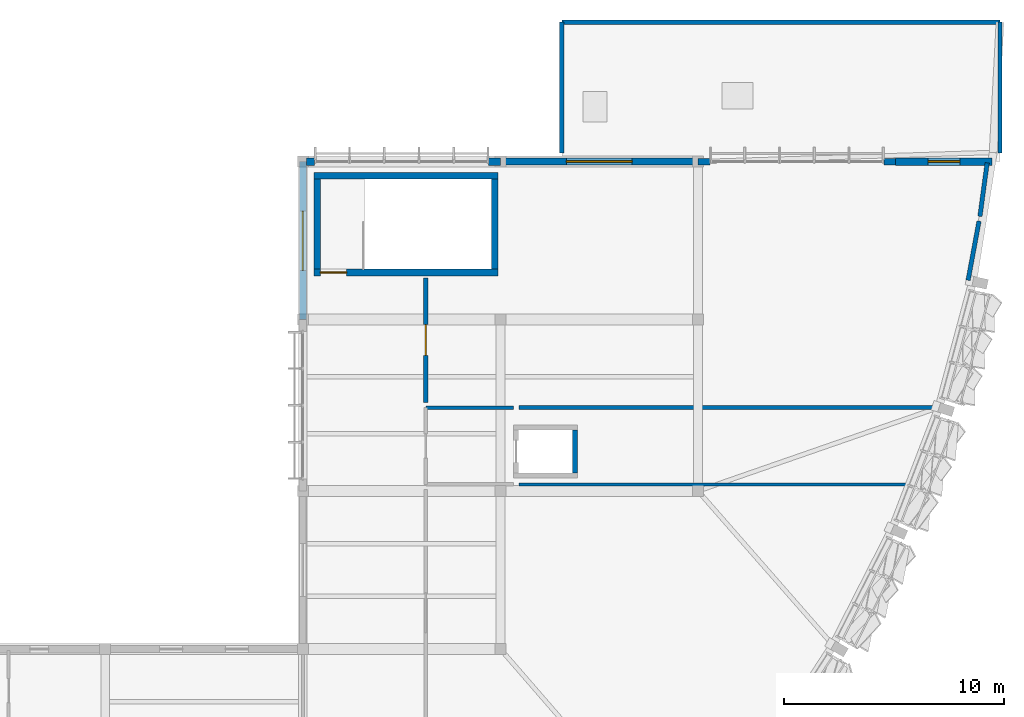
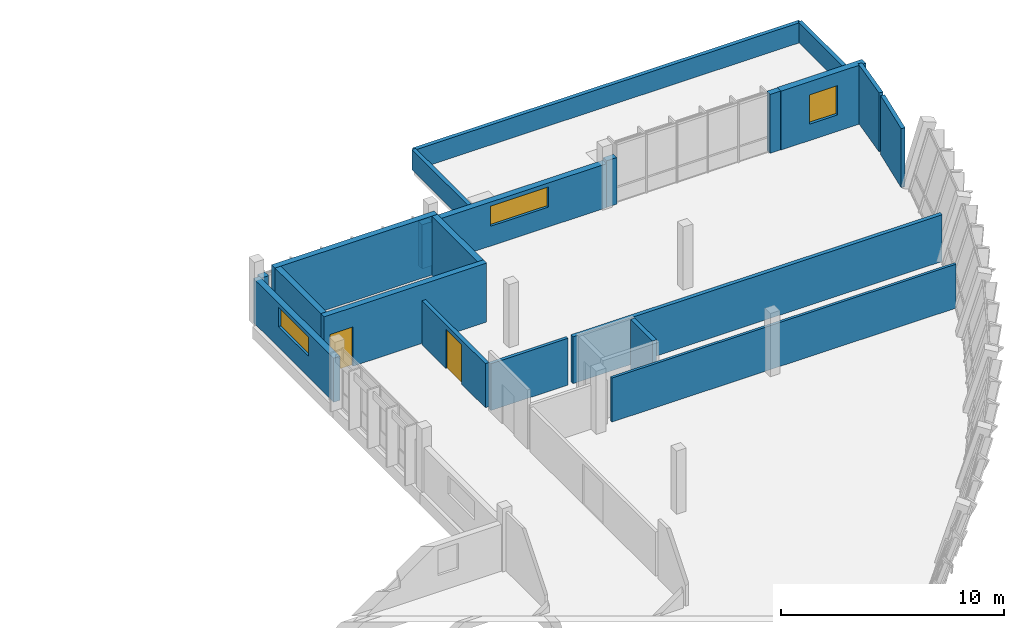
# One storey, part 23 of 24: 21 walls, 3 windows, 2 doors, 5 openings.
"""IFC4 building model written with IfcOpenShell, lengths in metres."""

from ifc_helpers import new_model, si_unit, direction, frame, frame_2d, origin, place, context, subcontext, project, spatial, rectangle, extrude, material, layer, layer_set, type_object, element, fill, save


model = new_model("IFC4")

# Units and contexts
model_context = context("Model", 3, precision=1e-05, world=origin(), true_north=direction((0.0, 1.0)))
body_context = subcontext(model_context, "Body", "Model", "MODEL_VIEW")
ifc_project = project(units=[si_unit("LENGTHUNIT", "METRE"), si_unit("AREAUNIT", "SQUARE_METRE"), si_unit("VOLUMEUNIT", "CUBIC_METRE"), si_unit("PLANEANGLEUNIT", "RADIAN"), si_unit("MASSUNIT", "GRAM", prefix="KILO")], contexts=[model_context])

# Site, building, storey
site_placement = place(None, origin())
site = spatial("IfcSite", under=ifc_project, at=site_placement, CompositionType="ELEMENT")
building_placement = place(site_placement, origin())
building = spatial("IfcBuilding", under=site, at=building_placement, Name="Chiffa Square Polytechnic", CompositionType="ELEMENT")
storey_placement = place(building_placement, frame((0.0, 0.0, 26.39990234375)))
storey = spatial("IfcBuildingStorey", under=building, at=storey_placement, Name="L06", CompositionType="ELEMENT", Elevation=26.39990234375)

# Wall, opening, door
ifc_material_1 = material(Name="Concrete C40/50", Category="concrete")
ifc_layer_1 = layer(ifc_material_1, 0.300048828125, Name="Concrete C40/50")
ifc_layer_set_1 = layer_set([ifc_layer_1], Name="Concrete C40/50")
wall_type_1 = type_object("IfcWallType", Name="WL-CORE-300", PredefinedType="SHEAR", material=ifc_layer_set_1)
wall_1_placement = place(storey_placement, frame((148.699951171875, 45.949951171875, 0.0), z_axis=(0.0, 0.0, 1.0), x_axis=(1.0, 0.0, 0.0)))
wall_1 = element("IfcWall", 1, at=wall_1_placement, inside=storey, type_object=wall_type_1, Name="Core or enclosure wall WC-CORE-V1B-L06-SOUTH", PredefinedType="SHEAR", context=body_context, shape_type="SweptSolid", body=[
    extrude(rectangle(XDim=8.400146484375, YDim=0.300048828125, at=frame_2d((4.2001953125, 0.0))), origin(), (0.0, 0.0, 1.0), 3.22021484375),
])
opening_1_placement = place(wall_1_placement, frame((0.300048828125, 0.0, 0.0)))
opening_1 = element("IfcOpeningElement", 2, at=opening_1_placement, cuts=wall_1, Name="Opening DS-L06-016", PredefinedType="OPENING", context=body_context, shape_type="SweptSolid", body=[
    extrude(rectangle(XDim=1.199951171875, YDim=2.14990234375, at=frame_2d((0.60009765625, 1.074951171875))), frame((0.0, 0.16015625, 0.0), z_axis=(0.0, -1.0, 0.0), x_axis=(1.0, 0.0, 0.0)), (0.0, 0.0, 1.0), 0.320068359375),
])
ifc_material_2 = material(Name="Fire-rated painted steel leaf", Category="steel")
door_type_1 = type_object("IfcDoorType", Name="DR-STAIR-1200", OperationType="NOTDEFINED", PredefinedType="DOOR", material=ifc_material_2)
door_1_placement = place(opening_1_placement, origin())
door_1 = element("IfcDoor", 3, at=door_1_placement, inside=storey, type_object=door_type_1, Name="Enclosure door DS-L06-016", OperationType="SINGLE_SWING_RIGHT", OverallHeight=2.14990234375, OverallWidth=1.199951171875, PredefinedType="DOOR", context=body_context, shape_type="SweptSolid", body=[
    extrude(rectangle(XDim=1.199951171875, YDim=2.14990234375, at=frame_2d((0.60009765625, 1.074951171875))), frame((0.0, 0.02490234375, 0.0), z_axis=(0.0, -1.0, 0.0), x_axis=(1.0, 0.0, 0.0)), (0.0, 0.0, 1.0), 0.050048828125),
])
fill(opening_1, door_1)

# Walls
wall_2_placement = place(storey_placement, frame((148.699951171875, 50.35009765625, 0.0), z_axis=(0.0, 0.0, 1.0), x_axis=(1.0, 0.0, 0.0)))
element("IfcWall", 4, at=wall_2_placement, inside=storey, type_object=wall_type_1, Name="Core or enclosure wall WC-CORE-V1B-L06-NORTH", PredefinedType="SHEAR", context=body_context, shape_type="SweptSolid", body=[
    extrude(rectangle(XDim=8.400146484375, YDim=0.300048828125, at=frame_2d((4.2001953125, 0.0))), origin(), (0.0, 0.0, 1.0), 3.22021484375),
])
for number, where, z_axis, x_axis, name in (
    (5, (148.85009765625, 46.10009765625, 0.0), (0.0, 0.0, 1.0), (0.0, 1.0, 0.0), "Core or enclosure wall WC-CORE-V1B-L06-WEST"),
    (6, (156.949951171875, 46.10009765625, 0.0), (0.0, 0.0, 1.0), (0.0, 1.0, 0.0), "Core or enclosure wall WC-CORE-V1B-L06-EAST"),
):
    element("IfcWall", number, at=place(storey_placement, frame(where, z_axis=z_axis, x_axis=x_axis)), inside=storey, type_object=wall_type_1, Name=name, PredefinedType="SHEAR", context=body_context, shape_type="SweptSolid", body=[
        extrude(rectangle(XDim=4.099853515625, YDim=0.300048828125, at=frame_2d((2.0498046875, 0.0))), origin(), (0.0, 0.0, 1.0), 3.22021484375),
    ])
ifc_material_3 = material(Name="Precast concrete C40/50", Category="concrete")
ifc_layer_2 = layer(ifc_material_3, 0.300048828125, Name="Precast concrete C40/50")
ifc_layer_set_2 = layer_set([ifc_layer_2], Name="Precast concrete C40/50")
wall_type_2 = type_object("IfcWallType", Name="WL-EXT-PC300", PredefinedType="SOLIDWALL", material=ifc_layer_set_2)
wall_3_placement = place(storey_placement, frame((175.199951171875, 51.0, 0.0), z_axis=(0.0, 0.0, 1.0), x_axis=(-1.0, 0.0, 0.0)))
element("IfcWall", 7, at=wall_3_placement, inside=storey, type_object=wall_type_2, Name="Facade column pier V1-L06-0088L", PredefinedType="SOLIDWALL", context=body_context, shape_type="SweptSolid", body=[
    extrude(rectangle(XDim=0.5400390625, YDim=0.300048828125, at=frame_2d((0.27001953125, 0.0))), origin(), (0.0, 0.0, 1.0), 3.22021484375),
])
wall_4_placement = place(storey_placement, frame((166.739990234375, 51.0, 0.0), z_axis=(0.0, 0.0, 1.0), x_axis=(-1.0, 0.0, 0.0)))
element("IfcWall", 8, at=wall_4_placement, inside=storey, type_object=wall_type_2, Name="Facade column pier V1-L06-0088R", PredefinedType="SOLIDWALL", context=body_context, shape_type="SweptSolid", body=[
    extrude(rectangle(XDim=0.5400390625, YDim=0.300048828125, at=frame_2d((0.27001953125, 0.0))), origin(), (0.0, 0.0, 1.0), 2.55517578125),
])

# Wall, opening, window
ifc_layer_3 = layer(ifc_material_3, 0.320068359375, Name="Precast concrete C40/50")
ifc_layer_set_3 = layer_set([ifc_layer_3], Name="Precast concrete C40/50")
wall_type_3 = type_object("IfcWallType", Name="WL-EXT-PC320", PredefinedType="SOLIDWALL", material=ifc_layer_set_3)
wall_5_placement = place(storey_placement, frame((166.199951171875, 51.0, 0.0), z_axis=(0.0, 0.0, 1.0), x_axis=(-1.0, 0.0, 0.0)))
wall_5 = element("IfcWall", 9, at=wall_5_placement, inside=storey, type_object=wall_type_3, Name="Exterior wall WE-V1-L06-0089", PredefinedType="SOLIDWALL", context=body_context, shape_type="SweptSolid", body=[
    extrude(rectangle(XDim=9.0, YDim=0.320068359375, at=frame_2d((4.5, 0.0))), origin(), (0.0, 0.0, 1.0), 2.405029296875),
])
opening_2_placement = place(wall_5_placement, frame((3.0, 0.0, 1.0849609375)))
opening_2 = element("IfcOpeningElement", 10, at=opening_2_placement, cuts=wall_5, Name="Opening WCL-01", PredefinedType="OPENING", context=body_context, shape_type="SweptSolid", body=[
    extrude(rectangle(XDim=3.0, YDim=1.10009765625, at=frame_2d((1.5, 0.550048828125))), frame((0.0, 0.169921875, 0.0), z_axis=(0.0, -1.0, 0.0), x_axis=(1.0, 0.0, 0.0)), (0.0, 0.0, 1.0), 0.340087890625),
])
ifc_material_4 = material(Name="Double glazing in thermally broken aluminium frame", Category="aluminium")
window_type_1 = type_object("IfcWindowType", Name="WIN-CLR-3000X1100", PartitioningType="DOUBLE_PANEL_VERTICAL", PredefinedType="WINDOW", material=ifc_material_4)
window_1_placement = place(opening_2_placement, origin())
window_1 = element("IfcWindow", 11, at=window_1_placement, inside=storey, type_object=window_type_1, Name="Facade window WN-L06-0090", OverallHeight=1.10009765625, OverallWidth=3.0, PartitioningType="DOUBLE_PANEL_VERTICAL", PredefinedType="WINDOW", context=body_context, shape_type="SweptSolid", body=[
    extrude(rectangle(XDim=3.0, YDim=1.10009765625, at=frame_2d((1.5, 0.550048828125))), frame((0.0, 0.030029296875, 0.0), z_axis=(0.0, -1.0, 0.0), x_axis=(1.0, 0.0, 0.0)), (0.0, 0.0, 1.0), 0.06005859375),
])
fill(opening_2, window_1)

wall_6_placement = place(storey_placement, frame((148.199951171875, 51.0, 0.0), z_axis=(0.0, 0.0, 1.0), x_axis=(0.0, -1.0, 0.0)))
wall_6 = element("IfcWall", 12, at=wall_6_placement, inside=storey, type_object=wall_type_3, Name="Exterior wall WE-V1-L06-0091", PredefinedType="SOLIDWALL", context=body_context, shape_type="SweptSolid", body=[
    extrude(rectangle(XDim=7.199951171875, YDim=0.320068359375, at=frame_2d((3.60009765625, 0.0))), origin(), (0.0, 0.0, 1.0), 2.405029296875),
])
opening_3_placement = place(wall_6_placement, frame((2.25, 0.0, 1.135009765625)))
opening_3 = element("IfcOpeningElement", 13, at=opening_3_placement, cuts=wall_6, Name="Opening WCL-02", PredefinedType="OPENING", context=body_context, shape_type="SweptSolid", body=[
    extrude(rectangle(XDim=2.699951171875, YDim=1.050048828125, at=frame_2d((1.35009765625, 0.52490234375))), frame((0.0, 0.169921875, 0.0), z_axis=(0.0, -1.0, 0.0), x_axis=(1.0, 0.0, 0.0)), (0.0, 0.0, 1.0), 0.340087890625),
])
window_type_2 = type_object("IfcWindowType", Name="WIN-CLR-2700X1050", PartitioningType="DOUBLE_PANEL_VERTICAL", PredefinedType="WINDOW", material=ifc_material_4)
window_2_placement = place(opening_3_placement, origin())
window_2 = element("IfcWindow", 14, at=window_2_placement, inside=storey, type_object=window_type_2, Name="Facade window WN-L06-0091", OverallHeight=1.050048828125, OverallWidth=2.699951171875, PartitioningType="DOUBLE_PANEL_VERTICAL", PredefinedType="WINDOW", context=body_context, shape_type="SweptSolid", body=[
    extrude(rectangle(XDim=2.699951171875, YDim=1.050048828125, at=frame_2d((1.35009765625, 0.52490234375))), frame((0.0, 0.030029296875, 0.0), z_axis=(0.0, -1.0, 0.0), x_axis=(1.0, 0.0, 0.0)), (0.0, 0.0, 1.0), 0.06005859375),
])
fill(opening_3, window_2)

ifc_layer_4 = layer(ifc_material_3, 0.340087890625, Name="Precast concrete C40/50")
ifc_layer_set_4 = layer_set([ifc_layer_4], Name="Precast concrete C40/50")
wall_type_4 = type_object("IfcWallType", Name="WL-EXT-PC340", PredefinedType="SOLIDWALL", material=ifc_layer_set_4)
wall_7_placement = place(storey_placement, frame((179.597900390625, 51.0, 0.0), z_axis=(0.0, 0.0, 1.0), x_axis=(-1.0, 0.0, 0.0)))
wall_7 = element("IfcWall", 15, at=wall_7_placement, inside=storey, type_object=wall_type_4, Name="Exterior wall WE-V1-L06-0087", PredefinedType="SOLIDWALL", context=body_context, shape_type="SweptSolid", body=[
    extrude(rectangle(XDim=4.39794921875, YDim=0.340087890625, at=frame_2d((2.198974609375, 0.0))), origin(), (0.0, 0.0, 1.0), 3.22021484375),
])
opening_4_placement = place(wall_7_placement, frame((1.47412109375, 0.0, 0.89990234375)))
opening_4 = element("IfcOpeningElement", 16, at=opening_4_placement, cuts=wall_7, Name="Opening W-16", PredefinedType="OPENING", context=body_context, shape_type="SweptSolid", body=[
    extrude(rectangle(XDim=1.449951171875, YDim=1.60009765625, at=frame_2d((0.72509765625, 0.800048828125))), frame((0.0, 0.18017578125, 0.0), z_axis=(0.0, -1.0, 0.0), x_axis=(1.0, 0.0, 0.0)), (0.0, 0.0, 1.0), 0.360107421875),
])
window_type_3 = type_object("IfcWindowType", Name="WIN-OFF-1450X1600", PartitioningType="DOUBLE_PANEL_VERTICAL", PredefinedType="WINDOW", material=ifc_material_4)
window_3_placement = place(opening_4_placement, origin())
window_3 = element("IfcWindow", 17, at=window_3_placement, inside=storey, type_object=window_type_3, Name="Facade window WN-L06-0089", OverallHeight=1.60009765625, OverallWidth=1.449951171875, PartitioningType="DOUBLE_PANEL_VERTICAL", PredefinedType="WINDOW", context=body_context, shape_type="SweptSolid", body=[
    extrude(rectangle(XDim=1.449951171875, YDim=1.60009765625, at=frame_2d((0.72509765625, 0.800048828125))), frame((0.0, 0.030029296875, 0.0), z_axis=(0.0, -1.0, 0.0), x_axis=(1.0, 0.0, 0.0)), (0.0, 0.0, 1.0), 0.06005859375),
])
fill(opening_4, window_3)

# Walls
wall_8_placement = place(storey_placement, frame((157.199951171875, 51.0, 0.0), z_axis=(0.0, 0.0, 1.0), x_axis=(-1.0, 0.0, 0.0)))
element("IfcWall", 18, at=wall_8_placement, inside=storey, type_object=wall_type_4, Name="Facade column pier V1-L06-0090L", PredefinedType="SOLIDWALL", context=body_context, shape_type="SweptSolid", body=[
    extrude(rectangle(XDim=0.5400390625, YDim=0.340087890625, at=frame_2d((0.27001953125, 0.0))), origin(), (0.0, 0.0, 1.0), 2.405029296875),
])
wall_9_placement = place(storey_placement, frame((148.739990234375, 51.0, 0.0), z_axis=(0.0, 0.0, 1.0), x_axis=(-1.0, 0.0, 0.0)))
element("IfcWall", 19, at=wall_9_placement, inside=storey, type_object=wall_type_4, Name="Facade column pier V1-L06-0090R", PredefinedType="SOLIDWALL", context=body_context, shape_type="SweptSolid", body=[
    extrude(rectangle(XDim=0.3779296875, YDim=0.340087890625, at=frame_2d((0.18896484375, 0.0))), origin(), (0.0, 0.0, 1.0), 2.405029296875),
])
ifc_layer_5 = layer(ifc_material_3, 0.199951171875, Name="Precast concrete C40/50")
ifc_layer_set_5 = layer_set([ifc_layer_5], Name="Precast concrete C40/50")
wall_type_5 = type_object("IfcWallType", Name="WL-PAR-200", PredefinedType="PARAPET", material=ifc_layer_set_5)
wall_10_placement = place(storey_placement, frame((179.949951171875, 51.39990234375, 0.335205078125), z_axis=(0.0, 0.0, 1.0), x_axis=(0.0, 1.0, 0.0)))
element("IfcWall", 20, at=wall_10_placement, inside=storey, type_object=wall_type_5, Name="Roof parapet PRP-V1-N6-1", PredefinedType="PARAPET", context=body_context, shape_type="SweptSolid", body=[
    extrude(rectangle(XDim=5.9501953125, YDim=0.199951171875, at=frame_2d((2.97509765625, 0.0))), origin(), (0.0, 0.0, 1.0), 1.099853515625),
])
wall_11_placement = place(storey_placement, frame((179.949951171875, 57.35009765625, 0.335205078125), z_axis=(0.0, 0.0, 1.0), x_axis=(-1.0, 0.0, 0.0)))
element("IfcWall", 21, at=wall_11_placement, inside=storey, type_object=wall_type_5, Name="Roof parapet PRP-V1-N6-2", PredefinedType="PARAPET", context=body_context, shape_type="SweptSolid", body=[
    extrude(rectangle(XDim=19.949951171875, YDim=0.199951171875, at=frame_2d((9.97509765625, 0.0))), origin(), (0.0, 0.0, 1.0), 1.099853515625),
])
wall_12_placement = place(storey_placement, frame((160.0, 57.35009765625, 0.335205078125), z_axis=(0.0, 0.0, 1.0), x_axis=(0.0, -1.0, 0.0)))
element("IfcWall", 22, at=wall_12_placement, inside=storey, type_object=wall_type_5, Name="Roof parapet PRP-V1-N6-3", PredefinedType="PARAPET", context=body_context, shape_type="SweptSolid", body=[
    extrude(rectangle(XDim=5.9501953125, YDim=0.199951171875, at=frame_2d((2.97509765625, 0.0))), origin(), (0.0, 0.0, 1.0), 1.099853515625),
])
ifc_material_5 = material(Name="Gypsum board on steel stud", Category="steel")
ifc_layer_6 = layer(ifc_material_5, 0.135009765625, Name="Gypsum board on steel stud")
ifc_layer_set_6 = layer_set([ifc_layer_6], Name="Gypsum board on steel stud")
wall_type_6 = type_object("IfcWallType", Name="WL-PART-135", PredefinedType="PARTITIONING", material=ifc_layer_set_6)
wall_13_placement = place(storey_placement, frame((158.0400390625, 36.300048828125, 0.0), z_axis=(0.0, 0.0, 1.0), x_axis=(1.0, 0.0, 0.0)))
element("IfcWall", 23, at=wall_13_placement, inside=storey, type_object=wall_type_6, Name="Interior partition WP-V1-L06-0745", PredefinedType="PARTITIONING", context=body_context, shape_type="SweptSolid", body=[
    extrude(rectangle(XDim=17.7939453125, YDim=0.135009765625, at=frame_2d((8.89697265625, 0.0))), origin(), (0.0, 0.0, 1.0), 2.405029296875),
])

# Wall, opening, door
ifc_material_6 = material(Name="Autoclaved aerated concrete blockwork", Category="masonry")
ifc_layer_7 = layer(ifc_material_6, 0.199951171875, Name="Autoclaved aerated concrete blockwork")
ifc_layer_set_7 = layer_set([ifc_layer_7], Name="Autoclaved aerated concrete blockwork")
wall_type_7 = type_object("IfcWallType", Name="WL-PART-EI120-200", PredefinedType="PARTITIONING", material=ifc_layer_set_7)
wall_14_placement = place(storey_placement, frame((153.800048828125, 40.0400390625, 0.0), z_axis=(0.0, 0.0, 1.0), x_axis=(0.0, 1.0, 0.0)))
wall_14 = element("IfcWall", 24, at=wall_14_placement, inside=storey, type_object=wall_type_7, Name="Interior partition WP-V1-L06-0729", PredefinedType="PARTITIONING", context=body_context, shape_type="SweptSolid", body=[
    extrude(rectangle(XDim=5.669921875, YDim=0.199951171875, at=frame_2d((2.8349609375, 0.0))), origin(), (0.0, 0.0, 1.0), 2.405029296875),
])
opening_5_placement = place(wall_14_placement, frame((2.135009765625, 0.0, 0.0)))
opening_5 = element("IfcOpeningElement", 25, at=opening_5_placement, cuts=wall_14, Name="Opening DI-L06-246", PredefinedType="OPENING", context=body_context, shape_type="SweptSolid", body=[
    extrude(rectangle(XDim=1.39990234375, YDim=2.14990234375, at=frame_2d((0.699951171875, 1.074951171875))), frame((0.0, 0.10986328125, 0.0), z_axis=(0.0, -1.0, 0.0), x_axis=(1.0, 0.0, 0.0)), (0.0, 0.0, 1.0), 0.219970703125),
])
ifc_material_7 = material(Name="Louvred painted steel plant door", Category="steel")
door_type_2 = type_object("IfcDoorType", Name="DR-PLANT-1400", OperationType="DOUBLE_DOOR_SINGLE_SWING", PredefinedType="DOOR", material=ifc_material_7)
door_2_placement = place(opening_5_placement, origin())
door_2 = element("IfcDoor", 26, at=door_2_placement, inside=storey, type_object=door_type_2, Name="Interior room door DI-L06-246", OperationType="DOUBLE_DOOR_SINGLE_SWING", OverallHeight=2.14990234375, OverallWidth=1.39990234375, PredefinedType="DOOR", context=body_context, shape_type="SweptSolid", body=[
    extrude(rectangle(XDim=1.39990234375, YDim=2.14990234375, at=frame_2d((0.699951171875, 1.074951171875))), frame((0.0, 0.02490234375, 0.0), z_axis=(0.0, -1.0, 0.0), x_axis=(1.0, 0.0, 0.0)), (0.0, 0.0, 1.0), 0.050048828125),
])
fill(opening_5, door_2)

# Walls
wall_15_placement = place(storey_placement, frame((179.0380859375, 48.507080078125, 0.0), z_axis=(0.0, 0.0, 1.0), x_axis=(0.134068030065, 0.990972130443, 0.0)))
element("IfcWall", 27, at=wall_15_placement, inside=storey, type_object=wall_type_7, Name="Interior partition WP-V1-L06-0730", PredefinedType="PARTITIONING", context=body_context, shape_type="SweptSolid", body=[
    extrude(rectangle(XDim=2.460205078125, YDim=0.199951171875, at=frame_2d((1.22998046875, 0.0))), origin(), (0.0, 0.0, 1.0), 3.22021484375),
])
wall_16_placement = place(storey_placement, frame((178.4990234375, 45.595947265625, 0.0), z_axis=(0.0, 0.0, 1.0), x_axis=(0.182066932607, 0.983286139458, 0.0)))
element("IfcWall", 28, at=wall_16_placement, inside=storey, type_object=wall_type_7, Name="Interior partition WP-V1-L06-0731", PredefinedType="PARTITIONING", context=body_context, shape_type="SweptSolid", body=[
    extrude(rectangle(XDim=2.740966796875, YDim=0.199951171875, at=frame_2d((1.37060546875, 0.0))), origin(), (0.0, 0.0, 1.0), 3.22021484375),
])
wall_17_placement = place(storey_placement, frame((158.0400390625, 39.800048828125, 0.0), z_axis=(0.0, 0.0, 1.0), x_axis=(1.0, 0.0, 0.0)))
element("IfcWall", 29, at=wall_17_placement, inside=storey, type_object=wall_type_7, Name="Interior partition WP-V1-L06-0732", PredefinedType="PARTITIONING", context=body_context, shape_type="SweptSolid", body=[
    extrude(rectangle(XDim=19.076904296875, YDim=0.199951171875, at=frame_2d((9.53857421875, 0.0))), origin(), (0.0, 0.0, 1.0), 2.55517578125),
])
ifc_material_8 = material(Name="Gypsum board on acoustic steel stud", Category="steel")
ifc_layer_8 = layer(ifc_material_8, 0.159912109375, Name="Gypsum board on acoustic steel stud")
ifc_layer_set_8 = layer_set([ifc_layer_8], Name="Gypsum board on acoustic steel stud")
wall_type_8 = type_object("IfcWallType", Name="WL-PART-EI60-160", PredefinedType="PARTITIONING", material=ifc_layer_set_8)
wall_18_placement = place(storey_placement, frame((153.800048828125, 39.800048828125, 0.0), z_axis=(0.0, 0.0, 1.0), x_axis=(1.0, 0.0, 0.0)))
element("IfcWall", 30, at=wall_18_placement, inside=storey, type_object=wall_type_8, Name="Lift lobby rated enclosure WP-LOB-LP-V1B-L06-NORTH", PredefinedType="PARTITIONING", context=body_context, shape_type="SweptSolid", body=[
    extrude(rectangle(XDim=4.0, YDim=0.159912109375, at=frame_2d((2.0, 0.0))), origin(), (0.0, 0.0, 1.0), 2.55517578125),
])
ifc_material_9 = material(Name="Concrete C35/45", Category="concrete")
ifc_layer_9 = layer(ifc_material_9, 0.219970703125, Name="Concrete C35/45")
ifc_layer_set_9 = layer_set([ifc_layer_9], Name="Concrete C35/45")
wall_type_9 = type_object("IfcWallType", Name="WL-SHAFT-220", PredefinedType="SHEAR", material=ifc_layer_set_9)
wall_19_placement = place(storey_placement, frame((160.590087890625, 36.820068359375, 0.0), z_axis=(0.0, 0.0, 1.0), x_axis=(0.0, 1.0, 0.0)))
element("IfcWall", 31, at=wall_19_placement, inside=storey, type_object=wall_type_9, Name="Core or enclosure wall WS-LP-V1B-L06-EAST", PredefinedType="SHEAR", context=body_context, shape_type="SweptSolid", body=[
    extrude(rectangle(XDim=1.9599609375, YDim=0.219970703125, at=frame_2d((0.97998046875, 0.0))), origin(), (0.0, 0.0, 1.0), 3.22021484375),
])

save(model, "model.ifc")
